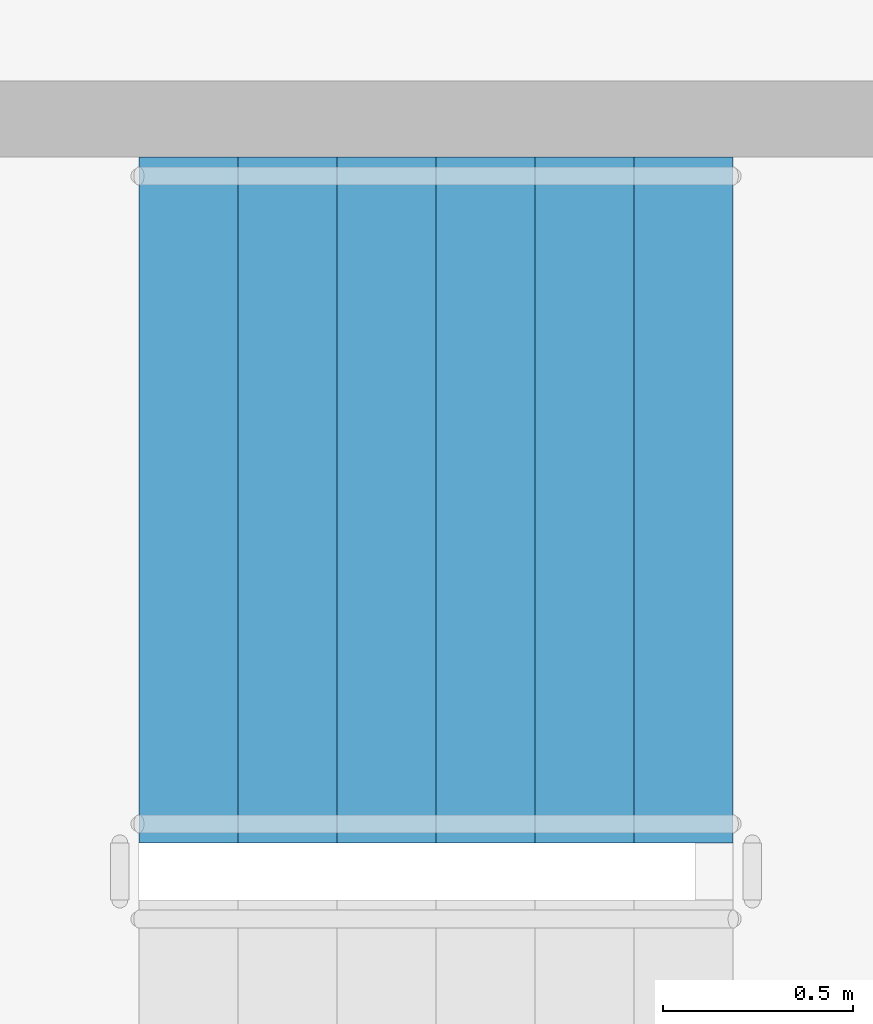
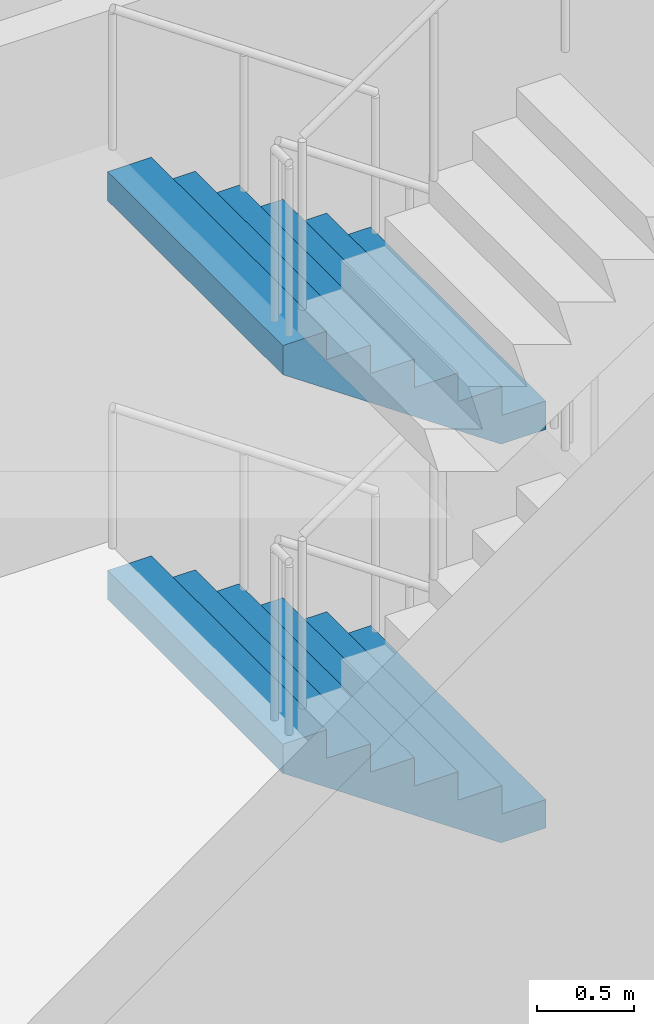
# One storey, part 47 of 59: 2 stair flights, 1 element without a shape of its own.
"""IFC4 building model written with IfcOpenShell, lengths in metres."""

from ifc_helpers import new_model, si_unit, direction, frame, origin, place, context, subcontext, project, spatial, faceted_brep, material, type_object, element, aggregate, save


model = new_model("IFC4")

# Units and contexts
model_context = context("Model", 3, precision=1e-05, world=origin(), true_north=direction((0.0, 1.0)))
body_context = subcontext(model_context, "Body", "Model", "MODEL_VIEW")
ifc_project = project(units=[si_unit("LENGTHUNIT", "METRE"), si_unit("AREAUNIT", "SQUARE_METRE"), si_unit("VOLUMEUNIT", "CUBIC_METRE"), si_unit("PLANEANGLEUNIT", "RADIAN"), si_unit("MASSUNIT", "GRAM", prefix="KILO")], contexts=[model_context])

# Site, building, storey
site_placement = place(None, origin())
site = spatial("IfcSite", under=ifc_project, at=site_placement, CompositionType="ELEMENT")
building_placement = place(site_placement, origin())
building = spatial("IfcBuilding", under=site, at=building_placement, Name="Ipe Terrace Towers", CompositionType="ELEMENT")
storey_placement = place(building_placement, frame((0.0, 0.0, 6.0)))
storey = spatial("IfcBuildingStorey", under=building, at=storey_placement, Name="L01", CompositionType="ELEMENT", Elevation=6.0)

# Stair, stair flights
ifc_material_1 = material(Name="Concrete C30/37", Category="concrete")
stair_type = type_object("IfcStairType", Name="Protected exit stair", PredefinedType="HALF_TURN_STAIR", material=ifc_material_1)
stair_placement = place(storey_placement, origin())
stair = element("IfcStair", 1, at=stair_placement, inside=storey, type_object=stair_type, Name="L01 Podium exit stair PS3", PredefinedType="HALF_TURN_STAIR")
ifc_material_2 = material(Name="Concrete C30/37", Category="concrete")
stair_flight_type = type_object("IfcStairFlightType", Name="Exit stair flight 1800", PredefinedType="STRAIGHT", material=ifc_material_2)
stair_flight_1_placement = place(storey_placement, frame((52.77001953125, 25.5, 0.0), z_axis=(0.0, 0.0, 1.0), x_axis=(-1.0, 0.0, 0.0)))
stair_flight_1 = element("IfcStairFlight", 2, at=stair_flight_1_placement, type_object=stair_flight_type, Name="PS3 flight 1", NumberOfRisers=7, NumberOfTreads=6, PredefinedType="STRAIGHT", RiserHeight=0.178571429, TreadLength=0.26, context=body_context, shape_type="Brep", body=[
    faceted_brep([(0.264892578125, -0.89990234375, 0.0), (1.56005859375, -0.89990234375, 0.8896484375), (1.56005859375, -0.89990234375, 1.071533203125), (1.300048828125, -0.89990234375, 1.071533203125), (1.300048828125, -0.89990234375, 0.892822265625), (1.0400390625, -0.89990234375, 0.892822265625), (1.0400390625, -0.89990234375, 0.71435546875), (0.780029296875, -0.89990234375, 0.71435546875), (0.780029296875, -0.89990234375, 0.53564453125), (0.52001953125, -0.89990234375, 0.53564453125), (0.52001953125, -0.89990234375, 0.357177734375), (0.260009765625, -0.89990234375, 0.357177734375), (0.260009765625, -0.89990234375, 0.178466796875), (0.0, -0.89990234375, 0.178466796875), (0.0, -0.89990234375, 0.0), (0.0, 0.89990234375, 0.0), (0.0, 0.89990234375, 0.178466796875), (0.260009765625, 0.89990234375, 0.178466796875), (0.260009765625, 0.89990234375, 0.357177734375), (0.52001953125, 0.89990234375, 0.357177734375), (0.52001953125, 0.89990234375, 0.53564453125), (0.780029296875, 0.89990234375, 0.53564453125), (0.780029296875, 0.89990234375, 0.71435546875), (1.0400390625, 0.89990234375, 0.71435546875), (1.0400390625, 0.89990234375, 0.892822265625), (1.300048828125, 0.89990234375, 0.892822265625), (1.300048828125, 0.89990234375, 1.071533203125), (1.56005859375, 0.89990234375, 1.071533203125), (1.56005859375, 0.89990234375, 0.8896484375), (0.264892578125, 0.89990234375, 0.0), (0.0, -0.300048828125, 0.178466796875), (0.0, -0.1201171875, 0.178466796875), (0.0, -0.06005859375, 0.178466796875), (0.0, -0.030029296875, 0.178466796875), (0.0, -0.010009765625, 0.178466796875), (0.0, 0.0, 0.178466796875), (0.0, 0.010009765625, 0.178466796875), (0.0, 0.030029296875, 0.178466796875), (0.0, 0.06005859375, 0.178466796875), (0.0, 0.1201171875, 0.178466796875), (0.0, 0.300048828125, 0.178466796875), (0.0, 0.300048828125, 0.0), (0.0, 0.1201171875, 0.0), (0.0, 0.06005859375, 0.0), (0.0, 0.030029296875, 0.0), (0.0, 0.010009765625, 0.0), (0.0, 0.0, 0.0), (0.0, -0.010009765625, 0.0), (0.0, -0.030029296875, 0.0), (0.0, -0.06005859375, 0.0), (0.0, -0.1201171875, 0.0), (0.0, -0.300048828125, 0.0), (0.260009765625, -0.300048828125, 0.178466796875), (0.260009765625, -0.1201171875, 0.178466796875), (0.260009765625, -0.06005859375, 0.178466796875), (0.260009765625, -0.030029296875, 0.178466796875), (0.260009765625, -0.010009765625, 0.178466796875), (0.260009765625, 0.0, 0.178466796875), (0.260009765625, 0.010009765625, 0.178466796875), (0.260009765625, 0.030029296875, 0.178466796875), (0.260009765625, 0.06005859375, 0.178466796875), (0.260009765625, 0.1201171875, 0.178466796875), (0.260009765625, 0.300048828125, 0.178466796875), (0.260009765625, -0.300048828125, 0.357177734375), (0.260009765625, -0.1201171875, 0.357177734375), (0.260009765625, -0.06005859375, 0.357177734375), (0.260009765625, -0.030029296875, 0.357177734375), (0.260009765625, -0.010009765625, 0.357177734375), (0.260009765625, 0.0, 0.357177734375), (0.260009765625, 0.010009765625, 0.357177734375), (0.260009765625, 0.030029296875, 0.357177734375), (0.260009765625, 0.06005859375, 0.357177734375), (0.260009765625, 0.1201171875, 0.357177734375), (0.260009765625, 0.300048828125, 0.357177734375), (0.52001953125, -0.300048828125, 0.357177734375), (0.52001953125, -0.1201171875, 0.357177734375), (0.52001953125, -0.06005859375, 0.357177734375), (0.52001953125, -0.030029296875, 0.357177734375), (0.52001953125, -0.010009765625, 0.357177734375), (0.52001953125, 0.0, 0.357177734375), (0.52001953125, 0.010009765625, 0.357177734375), (0.52001953125, 0.030029296875, 0.357177734375), (0.52001953125, 0.06005859375, 0.357177734375), (0.52001953125, 0.1201171875, 0.357177734375), (0.52001953125, 0.300048828125, 0.357177734375), (0.52001953125, -0.300048828125, 0.53564453125), (0.52001953125, -0.1201171875, 0.53564453125), (0.52001953125, -0.06005859375, 0.53564453125), (0.52001953125, -0.030029296875, 0.53564453125), (0.52001953125, -0.010009765625, 0.53564453125), (0.52001953125, 0.0, 0.53564453125), (0.52001953125, 0.010009765625, 0.53564453125), (0.52001953125, 0.030029296875, 0.53564453125), (0.52001953125, 0.06005859375, 0.53564453125), (0.52001953125, 0.1201171875, 0.53564453125), (0.52001953125, 0.300048828125, 0.53564453125), (0.780029296875, -0.300048828125, 0.53564453125), (0.780029296875, -0.1201171875, 0.53564453125), (0.780029296875, -0.06005859375, 0.53564453125), (0.780029296875, -0.030029296875, 0.53564453125), (0.780029296875, -0.010009765625, 0.53564453125), (0.780029296875, 0.0, 0.53564453125), (0.780029296875, 0.010009765625, 0.53564453125), (0.780029296875, 0.030029296875, 0.53564453125), (0.780029296875, 0.06005859375, 0.53564453125), (0.780029296875, 0.1201171875, 0.53564453125), (0.780029296875, 0.300048828125, 0.53564453125), (0.780029296875, -0.300048828125, 0.71435546875), (0.780029296875, -0.1201171875, 0.71435546875), (0.780029296875, -0.06005859375, 0.71435546875), (0.780029296875, -0.030029296875, 0.71435546875), (0.780029296875, -0.010009765625, 0.71435546875), (0.780029296875, 0.0, 0.71435546875), (0.780029296875, 0.010009765625, 0.71435546875), (0.780029296875, 0.030029296875, 0.71435546875), (0.780029296875, 0.06005859375, 0.71435546875), (0.780029296875, 0.1201171875, 0.71435546875), (0.780029296875, 0.300048828125, 0.71435546875), (1.0400390625, -0.300048828125, 0.71435546875), (1.0400390625, -0.1201171875, 0.71435546875), (1.0400390625, -0.06005859375, 0.71435546875), (1.0400390625, -0.030029296875, 0.71435546875), (1.0400390625, -0.010009765625, 0.71435546875), (1.0400390625, 0.0, 0.71435546875), (1.0400390625, 0.010009765625, 0.71435546875), (1.0400390625, 0.030029296875, 0.71435546875), (1.0400390625, 0.06005859375, 0.71435546875), (1.0400390625, 0.1201171875, 0.71435546875), (1.0400390625, 0.300048828125, 0.71435546875), (1.0400390625, -0.300048828125, 0.892822265625), (1.0400390625, -0.1201171875, 0.892822265625), (1.0400390625, -0.06005859375, 0.892822265625), (1.0400390625, -0.030029296875, 0.892822265625), (1.0400390625, -0.010009765625, 0.892822265625), (1.0400390625, 0.0, 0.892822265625), (1.0400390625, 0.010009765625, 0.892822265625), (1.0400390625, 0.030029296875, 0.892822265625), (1.0400390625, 0.06005859375, 0.892822265625), (1.0400390625, 0.1201171875, 0.892822265625), (1.0400390625, 0.300048828125, 0.892822265625), (1.300048828125, -0.300048828125, 0.892822265625), (1.300048828125, -0.1201171875, 0.892822265625), (1.300048828125, -0.06005859375, 0.892822265625), (1.300048828125, -0.030029296875, 0.892822265625), (1.300048828125, -0.010009765625, 0.892822265625), (1.300048828125, 0.0, 0.892822265625), (1.300048828125, 0.010009765625, 0.892822265625), (1.300048828125, 0.030029296875, 0.892822265625), (1.300048828125, 0.06005859375, 0.892822265625), (1.300048828125, 0.1201171875, 0.892822265625), (1.300048828125, 0.300048828125, 0.892822265625), (1.300048828125, -0.300048828125, 1.071533203125), (1.300048828125, -0.1201171875, 1.071533203125), (1.300048828125, -0.06005859375, 1.071533203125), (1.300048828125, -0.030029296875, 1.071533203125), (1.300048828125, -0.010009765625, 1.071533203125), (1.300048828125, 0.0, 1.071533203125), (1.300048828125, 0.010009765625, 1.071533203125), (1.300048828125, 0.030029296875, 1.071533203125), (1.300048828125, 0.06005859375, 1.071533203125), (1.300048828125, 0.1201171875, 1.071533203125), (1.300048828125, 0.300048828125, 1.071533203125), (1.56005859375, -0.300048828125, 1.071533203125), (1.56005859375, -0.1201171875, 1.071533203125), (1.56005859375, -0.06005859375, 1.071533203125), (1.56005859375, -0.030029296875, 1.071533203125), (1.56005859375, -0.010009765625, 1.071533203125), (1.56005859375, 0.0, 1.071533203125), (1.56005859375, 0.010009765625, 1.071533203125), (1.56005859375, 0.030029296875, 1.071533203125), (1.56005859375, 0.06005859375, 1.071533203125), (1.56005859375, 0.1201171875, 1.071533203125), (1.56005859375, 0.300048828125, 1.071533203125), (1.56005859375, -0.300048828125, 0.8896484375), (1.56005859375, -0.1201171875, 0.8896484375), (1.56005859375, -0.06005859375, 0.8896484375), (1.56005859375, -0.030029296875, 0.8896484375), (1.56005859375, -0.010009765625, 0.8896484375), (1.56005859375, 0.0, 0.8896484375), (1.56005859375, 0.010009765625, 0.8896484375), (1.56005859375, 0.030029296875, 0.8896484375), (1.56005859375, 0.06005859375, 0.8896484375), (1.56005859375, 0.1201171875, 0.8896484375), (1.56005859375, 0.300048828125, 0.8896484375), (0.264892578125, -0.300048828125, 0.0), (0.264892578125, -0.1201171875, 0.0), (0.264892578125, -0.06005859375, 0.0), (0.264892578125, -0.030029296875, 0.0), (0.264892578125, -0.010009765625, 0.0), (0.264892578125, 0.0, 0.0), (0.264892578125, 0.010009765625, 0.0), (0.264892578125, 0.030029296875, 0.0), (0.264892578125, 0.06005859375, 0.0), (0.264892578125, 0.1201171875, 0.0), (0.264892578125, 0.300048828125, 0.0)], [[[0, 1, 2, 3, 4, 5, 6, 7, 8, 9, 10, 11, 12, 13, 14]], [[15, 16, 17, 18, 19, 20, 21, 22, 23, 24, 25, 26, 27, 28, 29]], [[13, 30, 31, 32, 33, 34, 35, 36, 37, 38, 39, 40, 16, 15, 41, 42, 43, 44, 45, 46, 47, 48, 49, 50, 51, 14]], [[12, 52, 53, 54, 55, 56, 57, 58, 59, 60, 61, 62, 17, 16, 40, 39, 38, 37, 36, 35, 34, 33, 32, 31, 30, 13]], [[11, 63, 64, 65, 66, 67, 68, 69, 70, 71, 72, 73, 18, 17, 62, 61, 60, 59, 58, 57, 56, 55, 54, 53, 52, 12]], [[10, 74, 75, 76, 77, 78, 79, 80, 81, 82, 83, 84, 19, 18, 73, 72, 71, 70, 69, 68, 67, 66, 65, 64, 63, 11]], [[9, 85, 86, 87, 88, 89, 90, 91, 92, 93, 94, 95, 20, 19, 84, 83, 82, 81, 80, 79, 78, 77, 76, 75, 74, 10]], [[8, 96, 97, 98, 99, 100, 101, 102, 103, 104, 105, 106, 21, 20, 95, 94, 93, 92, 91, 90, 89, 88, 87, 86, 85, 9]], [[7, 107, 108, 109, 110, 111, 112, 113, 114, 115, 116, 117, 22, 21, 106, 105, 104, 103, 102, 101, 100, 99, 98, 97, 96, 8]], [[6, 118, 119, 120, 121, 122, 123, 124, 125, 126, 127, 128, 23, 22, 117, 116, 115, 114, 113, 112, 111, 110, 109, 108, 107, 7]], [[5, 129, 130, 131, 132, 133, 134, 135, 136, 137, 138, 139, 24, 23, 128, 127, 126, 125, 124, 123, 122, 121, 120, 119, 118, 6]], [[4, 140, 141, 142, 143, 144, 145, 146, 147, 148, 149, 150, 25, 24, 139, 138, 137, 136, 135, 134, 133, 132, 131, 130, 129, 5]], [[3, 151, 152, 153, 154, 155, 156, 157, 158, 159, 160, 161, 26, 25, 150, 149, 148, 147, 146, 145, 144, 143, 142, 141, 140, 4]], [[2, 162, 163, 164, 165, 166, 167, 168, 169, 170, 171, 172, 27, 26, 161, 160, 159, 158, 157, 156, 155, 154, 153, 152, 151, 3]], [[1, 173, 174, 175, 176, 177, 178, 179, 180, 181, 182, 183, 28, 27, 172, 171, 170, 169, 168, 167, 166, 165, 164, 163, 162, 2]], [[0, 184, 185, 186, 187, 188, 189, 190, 191, 192, 193, 194, 29, 28, 183, 182, 181, 180, 179, 178, 177, 176, 175, 174, 173, 1]], [[14, 51, 50, 49, 48, 47, 46, 45, 44, 43, 42, 41, 15, 29, 194, 193, 192, 191, 190, 189, 188, 187, 186, 185, 184, 0]]]),
])
stair_flight_2_placement = place(storey_placement, frame((52.77001953125, 25.5, 2.5), z_axis=(0.0, 0.0, 1.0), x_axis=(-1.0, 0.0, 0.0)))
stair_flight_2 = element("IfcStairFlight", 3, at=stair_flight_2_placement, type_object=stair_flight_type, Name="PS3 flight 3", NumberOfRisers=7, NumberOfTreads=6, PredefinedType="STRAIGHT", RiserHeight=0.178571429, TreadLength=0.26, context=body_context, shape_type="Brep", body=[
    faceted_brep([(0.264892578125, -0.89990234375, 0.0), (1.56005859375, -0.89990234375, 0.8896484375), (1.56005859375, -0.89990234375, 1.071533203125), (1.300048828125, -0.89990234375, 1.071533203125), (1.300048828125, -0.89990234375, 0.892822265625), (1.0400390625, -0.89990234375, 0.892822265625), (1.0400390625, -0.89990234375, 0.71435546875), (0.780029296875, -0.89990234375, 0.71435546875), (0.780029296875, -0.89990234375, 0.53564453125), (0.52001953125, -0.89990234375, 0.53564453125), (0.52001953125, -0.89990234375, 0.357177734375), (0.260009765625, -0.89990234375, 0.357177734375), (0.260009765625, -0.89990234375, 0.178466796875), (0.0, -0.89990234375, 0.178466796875), (0.0, -0.89990234375, 0.0), (0.0, 0.89990234375, 0.0), (0.0, 0.89990234375, 0.178466796875), (0.260009765625, 0.89990234375, 0.178466796875), (0.260009765625, 0.89990234375, 0.357177734375), (0.52001953125, 0.89990234375, 0.357177734375), (0.52001953125, 0.89990234375, 0.53564453125), (0.780029296875, 0.89990234375, 0.53564453125), (0.780029296875, 0.89990234375, 0.71435546875), (1.0400390625, 0.89990234375, 0.71435546875), (1.0400390625, 0.89990234375, 0.892822265625), (1.300048828125, 0.89990234375, 0.892822265625), (1.300048828125, 0.89990234375, 1.071533203125), (1.56005859375, 0.89990234375, 1.071533203125), (1.56005859375, 0.89990234375, 0.8896484375), (0.264892578125, 0.89990234375, 0.0), (0.0, -0.300048828125, 0.178466796875), (0.0, -0.1201171875, 0.178466796875), (0.0, -0.06005859375, 0.178466796875), (0.0, -0.030029296875, 0.178466796875), (0.0, -0.010009765625, 0.178466796875), (0.0, 0.0, 0.178466796875), (0.0, 0.010009765625, 0.178466796875), (0.0, 0.030029296875, 0.178466796875), (0.0, 0.06005859375, 0.178466796875), (0.0, 0.1201171875, 0.178466796875), (0.0, 0.300048828125, 0.178466796875), (0.0, 0.300048828125, 0.0), (0.0, 0.1201171875, 0.0), (0.0, 0.06005859375, 0.0), (0.0, 0.030029296875, 0.0), (0.0, 0.010009765625, 0.0), (0.0, 0.0, 0.0), (0.0, -0.010009765625, 0.0), (0.0, -0.030029296875, 0.0), (0.0, -0.06005859375, 0.0), (0.0, -0.1201171875, 0.0), (0.0, -0.300048828125, 0.0), (0.260009765625, -0.300048828125, 0.178466796875), (0.260009765625, -0.1201171875, 0.178466796875), (0.260009765625, -0.06005859375, 0.178466796875), (0.260009765625, -0.030029296875, 0.178466796875), (0.260009765625, -0.010009765625, 0.178466796875), (0.260009765625, 0.0, 0.178466796875), (0.260009765625, 0.010009765625, 0.178466796875), (0.260009765625, 0.030029296875, 0.178466796875), (0.260009765625, 0.06005859375, 0.178466796875), (0.260009765625, 0.1201171875, 0.178466796875), (0.260009765625, 0.300048828125, 0.178466796875), (0.260009765625, -0.300048828125, 0.357177734375), (0.260009765625, -0.1201171875, 0.357177734375), (0.260009765625, -0.06005859375, 0.357177734375), (0.260009765625, -0.030029296875, 0.357177734375), (0.260009765625, -0.010009765625, 0.357177734375), (0.260009765625, 0.0, 0.357177734375), (0.260009765625, 0.010009765625, 0.357177734375), (0.260009765625, 0.030029296875, 0.357177734375), (0.260009765625, 0.06005859375, 0.357177734375), (0.260009765625, 0.1201171875, 0.357177734375), (0.260009765625, 0.300048828125, 0.357177734375), (0.52001953125, -0.300048828125, 0.357177734375), (0.52001953125, -0.1201171875, 0.357177734375), (0.52001953125, -0.06005859375, 0.357177734375), (0.52001953125, -0.030029296875, 0.357177734375), (0.52001953125, -0.010009765625, 0.357177734375), (0.52001953125, 0.0, 0.357177734375), (0.52001953125, 0.010009765625, 0.357177734375), (0.52001953125, 0.030029296875, 0.357177734375), (0.52001953125, 0.06005859375, 0.357177734375), (0.52001953125, 0.1201171875, 0.357177734375), (0.52001953125, 0.300048828125, 0.357177734375), (0.52001953125, -0.300048828125, 0.53564453125), (0.52001953125, -0.1201171875, 0.53564453125), (0.52001953125, -0.06005859375, 0.53564453125), (0.52001953125, -0.030029296875, 0.53564453125), (0.52001953125, -0.010009765625, 0.53564453125), (0.52001953125, 0.0, 0.53564453125), (0.52001953125, 0.010009765625, 0.53564453125), (0.52001953125, 0.030029296875, 0.53564453125), (0.52001953125, 0.06005859375, 0.53564453125), (0.52001953125, 0.1201171875, 0.53564453125), (0.52001953125, 0.300048828125, 0.53564453125), (0.780029296875, -0.300048828125, 0.53564453125), (0.780029296875, -0.1201171875, 0.53564453125), (0.780029296875, -0.06005859375, 0.53564453125), (0.780029296875, -0.030029296875, 0.53564453125), (0.780029296875, -0.010009765625, 0.53564453125), (0.780029296875, 0.0, 0.53564453125), (0.780029296875, 0.010009765625, 0.53564453125), (0.780029296875, 0.030029296875, 0.53564453125), (0.780029296875, 0.06005859375, 0.53564453125), (0.780029296875, 0.1201171875, 0.53564453125), (0.780029296875, 0.300048828125, 0.53564453125), (0.780029296875, -0.300048828125, 0.71435546875), (0.780029296875, -0.1201171875, 0.71435546875), (0.780029296875, -0.06005859375, 0.71435546875), (0.780029296875, -0.030029296875, 0.71435546875), (0.780029296875, -0.010009765625, 0.71435546875), (0.780029296875, 0.0, 0.71435546875), (0.780029296875, 0.010009765625, 0.71435546875), (0.780029296875, 0.030029296875, 0.71435546875), (0.780029296875, 0.06005859375, 0.71435546875), (0.780029296875, 0.1201171875, 0.71435546875), (0.780029296875, 0.300048828125, 0.71435546875), (1.0400390625, -0.300048828125, 0.71435546875), (1.0400390625, -0.1201171875, 0.71435546875), (1.0400390625, -0.06005859375, 0.71435546875), (1.0400390625, -0.030029296875, 0.71435546875), (1.0400390625, -0.010009765625, 0.71435546875), (1.0400390625, 0.0, 0.71435546875), (1.0400390625, 0.010009765625, 0.71435546875), (1.0400390625, 0.030029296875, 0.71435546875), (1.0400390625, 0.06005859375, 0.71435546875), (1.0400390625, 0.1201171875, 0.71435546875), (1.0400390625, 0.300048828125, 0.71435546875), (1.0400390625, -0.300048828125, 0.892822265625), (1.0400390625, -0.1201171875, 0.892822265625), (1.0400390625, -0.06005859375, 0.892822265625), (1.0400390625, -0.030029296875, 0.892822265625), (1.0400390625, -0.010009765625, 0.892822265625), (1.0400390625, 0.0, 0.892822265625), (1.0400390625, 0.010009765625, 0.892822265625), (1.0400390625, 0.030029296875, 0.892822265625), (1.0400390625, 0.06005859375, 0.892822265625), (1.0400390625, 0.1201171875, 0.892822265625), (1.0400390625, 0.300048828125, 0.892822265625), (1.300048828125, -0.300048828125, 0.892822265625), (1.300048828125, -0.1201171875, 0.892822265625), (1.300048828125, -0.06005859375, 0.892822265625), (1.300048828125, -0.030029296875, 0.892822265625), (1.300048828125, -0.010009765625, 0.892822265625), (1.300048828125, 0.0, 0.892822265625), (1.300048828125, 0.010009765625, 0.892822265625), (1.300048828125, 0.030029296875, 0.892822265625), (1.300048828125, 0.06005859375, 0.892822265625), (1.300048828125, 0.1201171875, 0.892822265625), (1.300048828125, 0.300048828125, 0.892822265625), (1.300048828125, -0.300048828125, 1.071533203125), (1.300048828125, -0.1201171875, 1.071533203125), (1.300048828125, -0.06005859375, 1.071533203125), (1.300048828125, -0.030029296875, 1.071533203125), (1.300048828125, -0.010009765625, 1.071533203125), (1.300048828125, 0.0, 1.071533203125), (1.300048828125, 0.010009765625, 1.071533203125), (1.300048828125, 0.030029296875, 1.071533203125), (1.300048828125, 0.06005859375, 1.071533203125), (1.300048828125, 0.1201171875, 1.071533203125), (1.300048828125, 0.300048828125, 1.071533203125), (1.56005859375, -0.300048828125, 1.071533203125), (1.56005859375, -0.1201171875, 1.071533203125), (1.56005859375, -0.06005859375, 1.071533203125), (1.56005859375, -0.030029296875, 1.071533203125), (1.56005859375, -0.010009765625, 1.071533203125), (1.56005859375, 0.0, 1.071533203125), (1.56005859375, 0.010009765625, 1.071533203125), (1.56005859375, 0.030029296875, 1.071533203125), (1.56005859375, 0.06005859375, 1.071533203125), (1.56005859375, 0.1201171875, 1.071533203125), (1.56005859375, 0.300048828125, 1.071533203125), (1.56005859375, -0.300048828125, 0.8896484375), (1.56005859375, -0.1201171875, 0.8896484375), (1.56005859375, -0.06005859375, 0.8896484375), (1.56005859375, -0.030029296875, 0.8896484375), (1.56005859375, -0.010009765625, 0.8896484375), (1.56005859375, 0.0, 0.8896484375), (1.56005859375, 0.010009765625, 0.8896484375), (1.56005859375, 0.030029296875, 0.8896484375), (1.56005859375, 0.06005859375, 0.8896484375), (1.56005859375, 0.1201171875, 0.8896484375), (1.56005859375, 0.300048828125, 0.8896484375), (0.264892578125, -0.300048828125, 0.0), (0.264892578125, -0.1201171875, 0.0), (0.264892578125, -0.06005859375, 0.0), (0.264892578125, -0.030029296875, 0.0), (0.264892578125, -0.010009765625, 0.0), (0.264892578125, 0.0, 0.0), (0.264892578125, 0.010009765625, 0.0), (0.264892578125, 0.030029296875, 0.0), (0.264892578125, 0.06005859375, 0.0), (0.264892578125, 0.1201171875, 0.0), (0.264892578125, 0.300048828125, 0.0)], [[[0, 1, 2, 3, 4, 5, 6, 7, 8, 9, 10, 11, 12, 13, 14]], [[15, 16, 17, 18, 19, 20, 21, 22, 23, 24, 25, 26, 27, 28, 29]], [[13, 30, 31, 32, 33, 34, 35, 36, 37, 38, 39, 40, 16, 15, 41, 42, 43, 44, 45, 46, 47, 48, 49, 50, 51, 14]], [[12, 52, 53, 54, 55, 56, 57, 58, 59, 60, 61, 62, 17, 16, 40, 39, 38, 37, 36, 35, 34, 33, 32, 31, 30, 13]], [[11, 63, 64, 65, 66, 67, 68, 69, 70, 71, 72, 73, 18, 17, 62, 61, 60, 59, 58, 57, 56, 55, 54, 53, 52, 12]], [[10, 74, 75, 76, 77, 78, 79, 80, 81, 82, 83, 84, 19, 18, 73, 72, 71, 70, 69, 68, 67, 66, 65, 64, 63, 11]], [[9, 85, 86, 87, 88, 89, 90, 91, 92, 93, 94, 95, 20, 19, 84, 83, 82, 81, 80, 79, 78, 77, 76, 75, 74, 10]], [[8, 96, 97, 98, 99, 100, 101, 102, 103, 104, 105, 106, 21, 20, 95, 94, 93, 92, 91, 90, 89, 88, 87, 86, 85, 9]], [[7, 107, 108, 109, 110, 111, 112, 113, 114, 115, 116, 117, 22, 21, 106, 105, 104, 103, 102, 101, 100, 99, 98, 97, 96, 8]], [[6, 118, 119, 120, 121, 122, 123, 124, 125, 126, 127, 128, 23, 22, 117, 116, 115, 114, 113, 112, 111, 110, 109, 108, 107, 7]], [[5, 129, 130, 131, 132, 133, 134, 135, 136, 137, 138, 139, 24, 23, 128, 127, 126, 125, 124, 123, 122, 121, 120, 119, 118, 6]], [[4, 140, 141, 142, 143, 144, 145, 146, 147, 148, 149, 150, 25, 24, 139, 138, 137, 136, 135, 134, 133, 132, 131, 130, 129, 5]], [[3, 151, 152, 153, 154, 155, 156, 157, 158, 159, 160, 161, 26, 25, 150, 149, 148, 147, 146, 145, 144, 143, 142, 141, 140, 4]], [[2, 162, 163, 164, 165, 166, 167, 168, 169, 170, 171, 172, 27, 26, 161, 160, 159, 158, 157, 156, 155, 154, 153, 152, 151, 3]], [[1, 173, 174, 175, 176, 177, 178, 179, 180, 181, 182, 183, 28, 27, 172, 171, 170, 169, 168, 167, 166, 165, 164, 163, 162, 2]], [[0, 184, 185, 186, 187, 188, 189, 190, 191, 192, 193, 194, 29, 28, 183, 182, 181, 180, 179, 178, 177, 176, 175, 174, 173, 1]], [[14, 51, 50, 49, 48, 47, 46, 45, 44, 43, 42, 41, 15, 29, 194, 193, 192, 191, 190, 189, 188, 187, 186, 185, 184, 0]]]),
])
aggregate(stair, [stair_flight_1, stair_flight_2])

save(model, "model.ifc")
